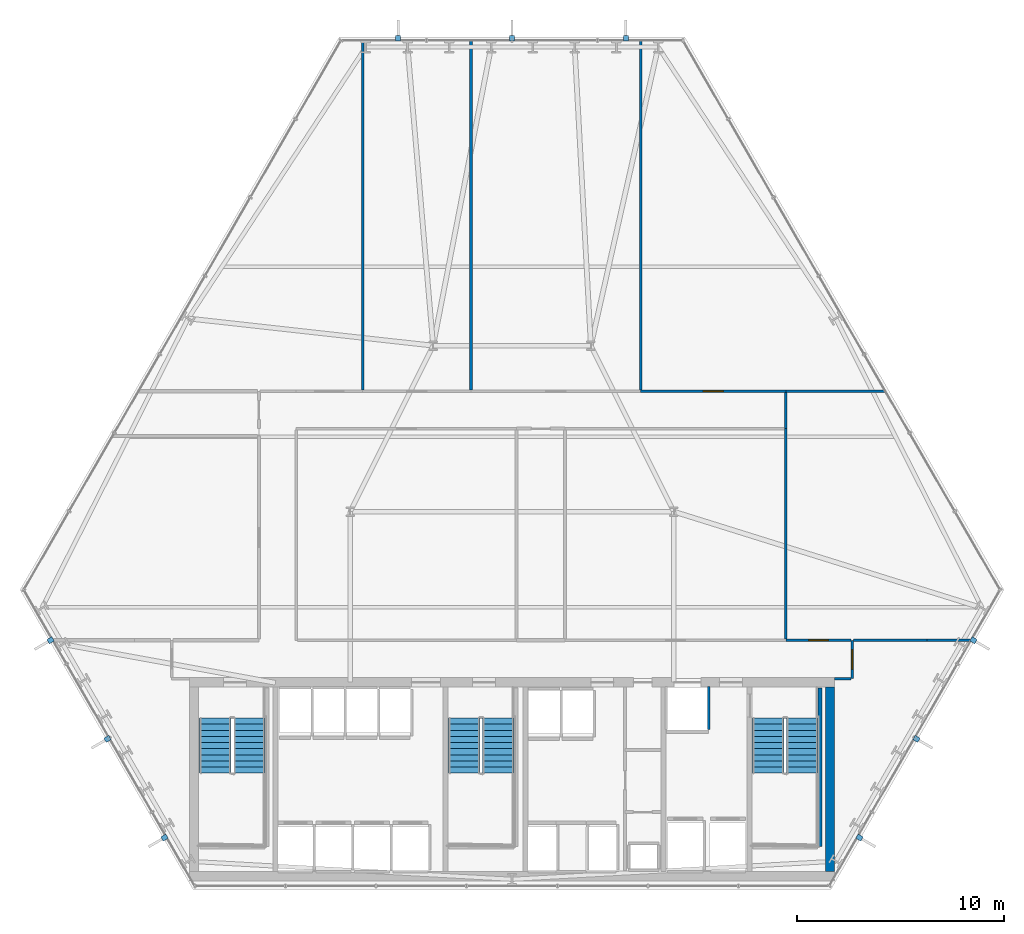
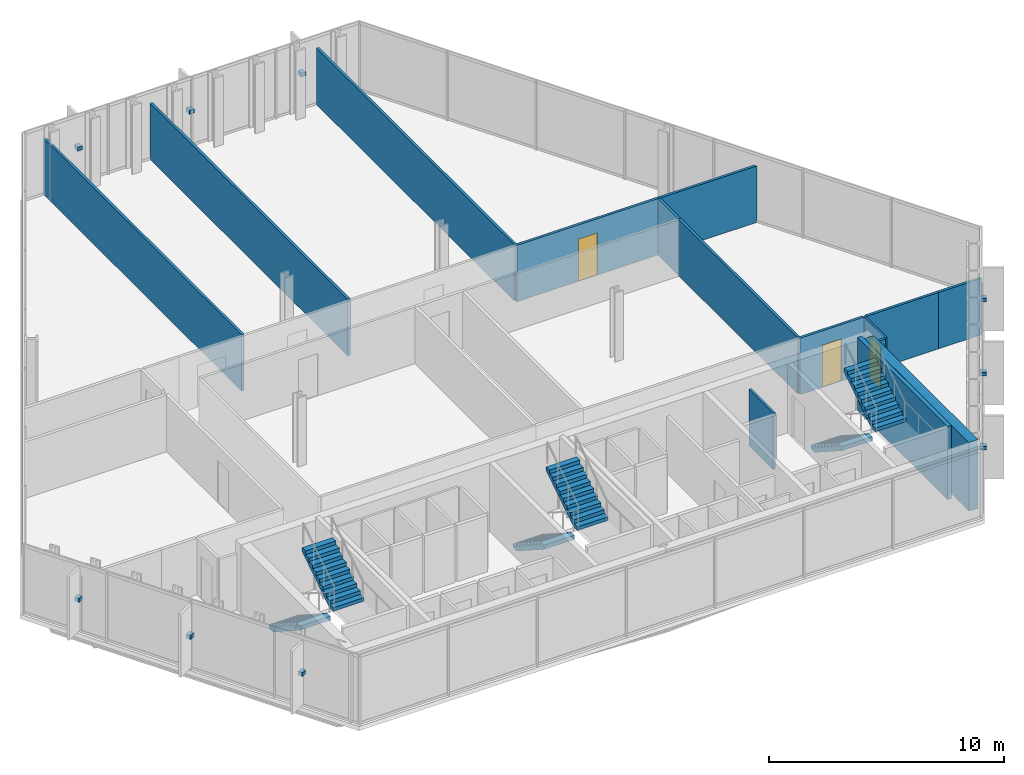
# One storey, part 29 of 33: 15 walls, 9 discrete accessories, 6 stair flights, 3 doors, 3 openings, 3 elements without a shape of their own.
"""IFC4 building model written with IfcOpenShell, lengths in metres."""

from ifc_helpers import new_model, si_unit, direction, frame, frame_2d, origin, origin_2d, place, context, subcontext, project, spatial, polyline, rectangle, outline, extrude, material, layer, layer_set, type_object, element, fill, aggregate, save


model = new_model("IFC4")

# Units and contexts
model_context = context("Model", 3, precision=1e-05, world=origin(), true_north=direction((0.0, 1.0)))
body_context = subcontext(model_context, "Body", "Model", "MODEL_VIEW")
ifc_project = project(units=[si_unit("LENGTHUNIT", "METRE"), si_unit("AREAUNIT", "SQUARE_METRE"), si_unit("VOLUMEUNIT", "CUBIC_METRE"), si_unit("PLANEANGLEUNIT", "RADIAN"), si_unit("MASSUNIT", "GRAM", prefix="KILO")], contexts=[model_context])

# Site, building, storey
site_placement = place(None, origin())
site = spatial("IfcSite", under=ifc_project, at=site_placement, CompositionType="ELEMENT")
building_placement = place(site_placement, origin())
building = spatial("IfcBuilding", under=site, at=building_placement, Name="Ndaravel Arena Tower", CompositionType="ELEMENT")
storey_placement = place(building_placement, frame((0.0, 0.0, 39.800048828125)))
storey = spatial("IfcBuildingStorey", under=building, at=storey_placement, Name="L07", CompositionType="ELEMENT", Elevation=39.800048828125)

# Wall
ifc_material_1 = material(Name="Concrete C60/75", Category="concrete")
ifc_layer_1 = layer(ifc_material_1, 0.449951171875)
ifc_layer_set_1 = layer_set([ifc_layer_1], Name="Concrete C60/75")
wall_type_1 = type_object("IfcWallType", Name="WALL-CORE-450", PredefinedType="SOLIDWALL", material=ifc_layer_set_1)
wall_1_placement = place(storey_placement, frame((57.324951171875, 5.85009765625, 0.0), z_axis=(0.0, 0.0, 1.0), x_axis=(0.0, 1.0, 0.0)))
element("IfcWall", 1, at=wall_1_placement, inside=storey, type_object=wall_type_1, Name="L07 Core East Shear Wall", PredefinedType="SOLIDWALL", context=body_context, shape_type="SweptSolid", body=[
    extrude(rectangle(XDim=8.89990234375, YDim=0.449951171875, at=frame_2d((4.449951171875, 0.0))), origin(), (0.0, 0.0, 1.0), 3.579833984375),
])

# Wall, opening, door
ifc_material_2 = material(Name="Timber", Category="wood")
ifc_layer_2 = layer(ifc_material_2, 0.10009765625)
ifc_layer_set_2 = layer_set([ifc_layer_2], Name="Timber")
wall_type_2 = type_object("IfcWallType", Name="WALL-MOVABLE-100", PredefinedType="MOVABLE", material=ifc_layer_set_2)
wall_2_placement = place(storey_placement, frame((58.39990234375, 17.0, 0.0), z_axis=(0.0, 0.0, 1.0), x_axis=(0.0, -1.0, 0.0)))
wall_2 = element("IfcWall", 2, at=wall_2_placement, inside=storey, type_object=wall_type_2, Name="L07 Interior Partition 001", PredefinedType="MOVABLE", context=body_context, shape_type="SweptSolid", body=[
    extrude(rectangle(XDim=1.85009765625, YDim=0.10009765625, at=frame_2d((0.925048828125, 0.0))), origin(), (0.0, 0.0, 1.0), 2.932861328125),
])
opening_1_placement = place(wall_2_placement, frame((0.449951171875, 0.0, 0.0)))
opening_1 = element("IfcOpeningElement", 3, at=opening_1_placement, cuts=wall_2, Name="Opening ID-01", PredefinedType="OPENING", context=body_context, shape_type="SweptSolid", body=[
    extrude(rectangle(XDim=0.949951171875, YDim=2.199951171875, at=frame_2d((0.47509765625, 1.10009765625))), frame((0.0, 0.050048828125, 0.0), z_axis=(0.0, -1.0, 0.0), x_axis=(1.0, 0.0, 0.0)), (0.0, 0.0, 1.0), 0.10009765625),
])
ifc_material_3 = material(Name="Timber", Category="wood")
door_type = type_object("IfcDoorType", Name="DT-03-OFFICE-950", OperationType="SINGLE_SWING_LEFT", PredefinedType="DOOR", material=ifc_material_3)
door_1_placement = place(opening_1_placement, origin())
door_1 = element("IfcDoor", 4, at=door_1_placement, inside=storey, type_object=door_type, Name="L07 Executive Boardroom Door", OperationType="SINGLE_SWING_LEFT", OverallHeight=2.199951171875, OverallWidth=0.949951171875, PredefinedType="DOOR", context=body_context, shape_type="SweptSolid", body=[
    extrude(rectangle(XDim=0.949951171875, YDim=2.199951171875, at=frame_2d((0.47509765625, 1.10009765625))), frame((0.0, 0.02490234375, 0.0), z_axis=(0.0, -1.0, 0.0), x_axis=(1.0, 0.0, 0.0)), (0.0, 0.0, 1.0), 0.050048828125),
])
fill(opening_1, door_1)

# Wall
ifc_material_4 = material(Name="Gypsum", Category="gypsum")
ifc_layer_3 = layer(ifc_material_4, 0.125)
ifc_layer_set_3 = layer_set([ifc_layer_3], Name="Gypsum")
wall_type_3 = type_object("IfcWallType", Name="WALL-PART-125", PredefinedType="PARTITIONING", material=ifc_layer_set_3)
wall_3_placement = place(storey_placement, frame((58.3349609375, 15.14990234375, 0.0), z_axis=(0.0, 0.0, 1.0), x_axis=(-1.0, 0.0, 0.0)))
element("IfcWall", 5, at=wall_3_placement, inside=storey, type_object=wall_type_3, Name="L07 Interior Partition 002", PredefinedType="PARTITIONING", context=body_context, shape_type="SweptSolid", body=[
    extrude(rectangle(XDim=0.784912109375, YDim=0.125, at=frame_2d((0.392578125, 0.0))), origin(), (0.0, 0.0, 1.0), 2.932861328125),
])

# Wall, opening, door
wall_4_placement = place(storey_placement, frame((48.199951171875, 29.0, 0.0), z_axis=(0.0, 0.0, 1.0), x_axis=(1.0, 0.0, 0.0)))
wall_4 = element("IfcWall", 6, at=wall_4_placement, inside=storey, type_object=wall_type_3, Name="L07 Interior Partition 012", PredefinedType="PARTITIONING", context=body_context, shape_type="SweptSolid", body=[
    extrude(rectangle(XDim=7.0, YDim=0.125, at=frame_2d((3.5, 0.0))), origin(), (0.0, 0.0, 1.0), 2.932861328125),
])
opening_2_placement = place(wall_4_placement, frame((3.02490234375, 0.0, 0.0)))
opening_2 = element("IfcOpeningElement", 7, at=opening_2_placement, cuts=wall_4, Name="Opening ID-01", PredefinedType="OPENING", context=body_context, shape_type="SweptSolid", body=[
    extrude(rectangle(XDim=0.949951171875, YDim=2.199951171875, at=frame_2d((0.47509765625, 1.10009765625))), frame((0.0, 0.0625, 0.0), z_axis=(0.0, -1.0, 0.0), x_axis=(1.0, 0.0, 0.0)), (0.0, 0.0, 1.0), 0.125),
])
door_2_placement = place(opening_2_placement, origin())
door_2 = element("IfcDoor", 8, at=door_2_placement, inside=storey, type_object=door_type, Name="L07 Project Seminar Room 3 Door", OperationType="SINGLE_SWING_LEFT", OverallHeight=2.199951171875, OverallWidth=0.949951171875, PredefinedType="DOOR", context=body_context, shape_type="SweptSolid", body=[
    extrude(rectangle(XDim=0.949951171875, YDim=2.199951171875, at=frame_2d((0.47509765625, 1.10009765625))), frame((0.0, 0.02490234375, 0.0), z_axis=(0.0, -1.0, 0.0), x_axis=(1.0, 0.0, 0.0)), (0.0, 0.0, 1.0), 0.050048828125),
])
fill(opening_2, door_2)

# Wall
wall_5_placement = place(storey_placement, frame((55.199951171875, 28.93505859375, 0.0), z_axis=(0.0, 0.0, 1.0), x_axis=(0.0, -1.0, 0.0)))
element("IfcWall", 9, at=wall_5_placement, inside=storey, type_object=wall_type_3, Name="L07 Interior Partition 013", PredefinedType="PARTITIONING", context=body_context, shape_type="SweptSolid", body=[
    extrude(rectangle(XDim=1.735107421875, YDim=0.125, at=frame_2d((0.86767578125, 0.0))), origin(), (0.0, 0.0, 1.0), 2.932861328125),
])

# Wall, opening, door
wall_6_placement = place(storey_placement, frame((55.199951171875, 17.0, 0.0), z_axis=(0.0, 0.0, 1.0), x_axis=(1.0, 0.0, 0.0)))
wall_6 = element("IfcWall", 10, at=wall_6_placement, inside=storey, type_object=wall_type_3, Name="L07 Interior Partition 021", PredefinedType="PARTITIONING", context=body_context, shape_type="SweptSolid", body=[
    extrude(rectangle(XDim=3.135009765625, YDim=0.125, at=frame_2d((1.5673828125, 0.0))), origin(), (0.0, 0.0, 1.0), 2.932861328125),
])
opening_3_placement = place(wall_6_placement, frame((1.092529296875, 0.0, 0.0)))
opening_3 = element("IfcOpeningElement", 11, at=opening_3_placement, cuts=wall_6, Name="Opening ID-01", PredefinedType="OPENING", context=body_context, shape_type="SweptSolid", body=[
    extrude(rectangle(XDim=0.949951171875, YDim=2.199951171875, at=frame_2d((0.47509765625, 1.10009765625))), frame((0.0, 0.0625, 0.0), z_axis=(0.0, -1.0, 0.0), x_axis=(1.0, 0.0, 0.0)), (0.0, 0.0, 1.0), 0.125),
])
door_3_placement = place(opening_3_placement, origin())
door_3 = element("IfcDoor", 12, at=door_3_placement, inside=storey, type_object=door_type, Name="L07 Advisory Desk Office 3 Door", OperationType="SINGLE_SWING_RIGHT", OverallHeight=2.199951171875, OverallWidth=0.949951171875, PredefinedType="DOOR", context=body_context, shape_type="SweptSolid", body=[
    extrude(rectangle(XDim=0.949951171875, YDim=2.199951171875, at=frame_2d((0.47509765625, 1.10009765625))), frame((0.0, 0.02490234375, 0.0), z_axis=(0.0, -1.0, 0.0), x_axis=(1.0, 0.0, 0.0)), (0.0, 0.0, 1.0), 0.050048828125),
])
fill(opening_3, door_3)

# Walls
wall_7_placement = place(storey_placement, frame((58.465087890625, 17.0, 0.0), z_axis=(0.0, 0.0, 1.0), x_axis=(1.0, 0.0, 0.0)))
element("IfcWall", 13, at=wall_7_placement, inside=storey, type_object=wall_type_3, Name="L07 Interior Partition 024", PredefinedType="PARTITIONING", context=body_context, shape_type="SweptSolid", body=[
    extrude(rectangle(XDim=3.534912109375, YDim=0.125, at=frame_2d((1.767578125, 0.0))), origin(), (0.0, 0.0, 1.0), 2.932861328125),
])
wall_8_placement = place(storey_placement, frame((62.0, 17.0, 0.0), z_axis=(0.0, 0.0, 1.0), x_axis=(1.0, 0.0, 0.0)))
element("IfcWall", 14, at=wall_8_placement, inside=storey, type_object=wall_type_3, Name="L07 Interior Partition 025", PredefinedType="PARTITIONING", context=body_context, shape_type="SweptSolid", body=[
    extrude(rectangle(XDim=2.1240234375, YDim=0.125, at=frame_2d((1.06201171875, 0.0))), origin(), (0.0, 0.0, 1.0), 2.932861328125),
])
wall_9_placement = place(storey_placement, frame((55.199951171875, 27.199951171875, 0.0), z_axis=(0.0, 0.0, 1.0), x_axis=(0.0, -1.0, 0.0)))
element("IfcWall", 15, at=wall_9_placement, inside=storey, type_object=wall_type_3, Name="L07 Interior Partition 029", PredefinedType="PARTITIONING", context=body_context, shape_type="SweptSolid", body=[
    extrude(rectangle(XDim=10.135009765625, YDim=0.125, at=frame_2d((5.0673828125, 0.0))), origin(), (0.0, 0.0, 1.0), 2.932861328125),
])
wall_10_placement = place(storey_placement, frame((55.199951171875, 29.0, 0.0), z_axis=(0.0, 0.0, 1.0), x_axis=(1.0, 0.0, 0.0)))
element("IfcWall", 16, at=wall_10_placement, inside=storey, type_object=wall_type_3, Name="L07 Interior Partition 030", PredefinedType="PARTITIONING", context=body_context, shape_type="SweptSolid", body=[
    extrude(rectangle(XDim=4.8017578125, YDim=0.125, at=frame_2d((2.40087890625, 0.0))), origin(), (0.0, 0.0, 1.0), 2.932861328125),
])
for number, where, z_axis, x_axis, name in (
    (17, (34.800048828125, 45.909912109375, 0.0), (0.0, 0.0, 1.0), (0.0, -1.0, 0.0), "L07 Interior Partition 032"),
    (18, (48.199951171875, 29.06494140625, 0.0), (0.0, 0.0, 1.0), (0.0, 1.0, 0.0), "L07 Interior Partition 033"),
    (19, (40.02587890625, 29.06494140625, 0.0), (0.0, 0.0, 1.0), (0.0, 1.0, 0.0), "L07 Interior Partition 034"),
):
    element("IfcWall", number, at=place(storey_placement, frame(where, z_axis=z_axis, x_axis=x_axis)), inside=storey, type_object=wall_type_3, Name=name, PredefinedType="PARTITIONING", context=body_context, shape_type="SweptSolid", body=[
        extrude(rectangle(XDim=16.844970703125, YDim=0.125, at=frame_2d((8.42236328125, 0.0))), origin(), (0.0, 0.0, 1.0), 2.932861328125),
    ])
ifc_material_5 = material(Name="Concrete C40/50", Category="concrete")
ifc_layer_4 = layer(ifc_material_5, 0.1201171875)
ifc_layer_set_4 = layer_set([ifc_layer_4], Name="Concrete C40/50")
wall_type_4 = type_object("IfcWallType", Name="WALL-SHAFT-120", PredefinedType="SOLIDWALL", material=ifc_layer_set_4)
wall_11_placement = place(storey_placement, frame((51.47998046875, 12.68994140625, 0.0), z_axis=(0.0, 0.0, 1.0), x_axis=(0.0, 1.0, 0.0)))
element("IfcWall", 20, at=wall_11_placement, inside=storey, type_object=wall_type_4, Name="L07 SVL-1 Shaft E Wall", PredefinedType="SOLIDWALL", context=body_context, shape_type="SweptSolid", body=[
    extrude(rectangle(XDim=2.070068359375, YDim=0.1201171875, at=frame_2d((1.03515625, 0.0))), origin(), (0.0, 0.0, 1.0), 2.932861328125),
])
ifc_material_6 = material(Name="Concrete C40/50", Category="concrete")
ifc_layer_5 = layer(ifc_material_6, 0.199951171875)
ifc_layer_set_5 = layer_set([ifc_layer_5], Name="Concrete C40/50")
wall_type_5 = type_object("IfcWallType", Name="WALL-SHAFT-200", PredefinedType="SOLIDWALL", material=ifc_layer_set_5)
wall_12_placement = place(storey_placement, frame((56.840087890625, 14.699951171875, 0.0), z_axis=(0.0, 0.0, 1.0), x_axis=(0.0, -1.0, 0.0)))
element("IfcWall", 21, at=wall_12_placement, inside=storey, type_object=wall_type_5, Name="L07 ST-3 Structural Shaft Wall Right", PredefinedType="SOLIDWALL", context=body_context, shape_type="SweptSolid", body=[
    extrude(rectangle(XDim=7.64990234375, YDim=0.199951171875, at=frame_2d((3.824951171875, 0.0))), origin(), (0.0, 0.0, 1.0), 3.800048828125),
])

# Stair, stair flights
ifc_material_7 = material(Name="Concrete C40/50", Category="concrete")
stair_type = type_object("IfcStairType", Name="STAIR-CORE-HT", PredefinedType="HALF_TURN_STAIR", material=ifc_material_7)
stair_1_placement = place(storey_placement, origin())
stair_1 = element("IfcStair", 22, at=stair_1_placement, inside=storey, type_object=stair_type, Name="L07 ST-1", PredefinedType="HALF_TURN_STAIR")
ifc_material_8 = material(Name="Concrete C40/50", Category="concrete")
stair_flight_type = type_object("IfcStairFlightType", Name="SFLIGHT-CORE-1680", PredefinedType="STRAIGHT", material=ifc_material_8)
stair_flight_1_placement = place(storey_placement, frame((27.699951171875, 13.25, 0.0), z_axis=(0.0, 0.0, 1.0), x_axis=(0.0, -1.0, 0.0)))
stair_flight_1 = element("IfcStairFlight", 23, at=stair_flight_1_placement, type_object=stair_flight_type, Name="ST-1 flight 1", NumberOfRisers=10, NumberOfTreads=9, PredefinedType="STRAIGHT", RiserHeight=0.19, TreadLength=0.295, context=body_context, shape_type="SweptSolid", body=[
    extrude(outline(polyline([(0.0, 0.0), (0.0, 0.18994140625), (0.294921875, 0.18994140625), (0.294921875, 0.3798828125), (0.590087890625, 0.3798828125), (0.590087890625, 0.570068359375), (0.885009765625, 0.570068359375), (0.885009765625, 0.760009765625), (1.179931640625, 0.760009765625), (1.179931640625, 0.949951171875), (1.47509765625, 0.949951171875), (1.47509765625, 1.139892578125), (1.77001953125, 1.139892578125), (1.77001953125, 1.330078125), (2.06494140625, 1.330078125), (2.06494140625, 1.52001953125), (2.360107421875, 1.52001953125), (2.360107421875, 1.7099609375), (2.655029296875, 1.7099609375), (2.655029296875, 1.89990234375), (2.655029296875, 1.49609375), (0.332275390625, 0.0), (0.0, 0.0)])), frame((0.0, 0.75, 0.0), z_axis=(0.0, -1.0, 0.0), x_axis=(1.0, 0.0, 0.0)), (0.0, 0.0, 1.0), 1.5),
])
stair_flight_2_placement = place(storey_placement, frame((29.340087890625, 10.594970703125, 1.89990234375), z_axis=(0.0, 0.0, 1.0), x_axis=(0.0, 1.0, 0.0)))
stair_flight_2 = element("IfcStairFlight", 24, at=stair_flight_2_placement, type_object=stair_flight_type, Name="ST-1 flight 2", NumberOfRisers=10, NumberOfTreads=9, PredefinedType="STRAIGHT", RiserHeight=0.19, TreadLength=0.295, context=body_context, shape_type="SweptSolid", body=[
    extrude(outline(polyline([(0.0, 0.0), (0.0, 0.18994140625), (0.294921875, 0.18994140625), (0.294921875, 0.3798828125), (0.590087890625, 0.3798828125), (0.590087890625, 0.570068359375), (0.885009765625, 0.570068359375), (0.885009765625, 0.760009765625), (1.179931640625, 0.760009765625), (1.179931640625, 0.949951171875), (1.47509765625, 0.949951171875), (1.47509765625, 1.139892578125), (1.77001953125, 1.139892578125), (1.77001953125, 1.330078125), (2.06494140625, 1.330078125), (2.06494140625, 1.52001953125), (2.360107421875, 1.52001953125), (2.360107421875, 1.7099609375), (2.655029296875, 1.7099609375), (2.655029296875, 1.89990234375), (2.655029296875, 1.49609375), (0.332275390625, 0.0), (0.0, 0.0)])), frame((0.0, 0.75, 0.0), z_axis=(0.0, -1.0, 0.0), x_axis=(1.0, 0.0, 0.0)), (0.0, 0.0, 1.0), 1.5),
])
aggregate(stair_1, [stair_flight_1, stair_flight_2])

stair_2_placement = place(storey_placement, origin())
stair_2 = element("IfcStair", 25, at=stair_2_placement, inside=storey, type_object=stair_type, Name="L07 ST-2", PredefinedType="HALF_TURN_STAIR")
stair_flight_3_placement = place(storey_placement, frame((39.699951171875, 13.25, 0.0), z_axis=(0.0, 0.0, 1.0), x_axis=(0.0, -1.0, 0.0)))
stair_flight_3 = element("IfcStairFlight", 26, at=stair_flight_3_placement, type_object=stair_flight_type, Name="ST-2 flight 1", NumberOfRisers=10, NumberOfTreads=9, PredefinedType="STRAIGHT", RiserHeight=0.19, TreadLength=0.295, context=body_context, shape_type="SweptSolid", body=[
    extrude(outline(polyline([(0.0, 0.0), (0.0, 0.18994140625), (0.294921875, 0.18994140625), (0.294921875, 0.3798828125), (0.590087890625, 0.3798828125), (0.590087890625, 0.570068359375), (0.885009765625, 0.570068359375), (0.885009765625, 0.760009765625), (1.179931640625, 0.760009765625), (1.179931640625, 0.949951171875), (1.47509765625, 0.949951171875), (1.47509765625, 1.139892578125), (1.77001953125, 1.139892578125), (1.77001953125, 1.330078125), (2.06494140625, 1.330078125), (2.06494140625, 1.52001953125), (2.360107421875, 1.52001953125), (2.360107421875, 1.7099609375), (2.655029296875, 1.7099609375), (2.655029296875, 1.89990234375), (2.655029296875, 1.49609375), (0.332275390625, 0.0), (0.0, 0.0)])), frame((0.0, 0.75, 0.0), z_axis=(0.0, -1.0, 0.0), x_axis=(1.0, 0.0, 0.0)), (0.0, 0.0, 1.0), 1.5),
])
stair_flight_4_placement = place(storey_placement, frame((41.340087890625, 10.594970703125, 1.89990234375), z_axis=(0.0, 0.0, 1.0), x_axis=(0.0, 1.0, 0.0)))
stair_flight_4 = element("IfcStairFlight", 27, at=stair_flight_4_placement, type_object=stair_flight_type, Name="ST-2 flight 2", NumberOfRisers=10, NumberOfTreads=9, PredefinedType="STRAIGHT", RiserHeight=0.19, TreadLength=0.295, context=body_context, shape_type="SweptSolid", body=[
    extrude(outline(polyline([(0.0, 0.0), (0.0, 0.18994140625), (0.294921875, 0.18994140625), (0.294921875, 0.3798828125), (0.590087890625, 0.3798828125), (0.590087890625, 0.570068359375), (0.885009765625, 0.570068359375), (0.885009765625, 0.760009765625), (1.179931640625, 0.760009765625), (1.179931640625, 0.949951171875), (1.47509765625, 0.949951171875), (1.47509765625, 1.139892578125), (1.77001953125, 1.139892578125), (1.77001953125, 1.330078125), (2.06494140625, 1.330078125), (2.06494140625, 1.52001953125), (2.360107421875, 1.52001953125), (2.360107421875, 1.7099609375), (2.655029296875, 1.7099609375), (2.655029296875, 1.89990234375), (2.655029296875, 1.49609375), (0.332275390625, 0.0), (0.0, 0.0)])), frame((0.0, 0.75, 0.0), z_axis=(0.0, -1.0, 0.0), x_axis=(1.0, 0.0, 0.0)), (0.0, 0.0, 1.0), 1.5),
])
aggregate(stair_2, [stair_flight_3, stair_flight_4])

stair_3_placement = place(storey_placement, origin())
stair_3 = element("IfcStair", 28, at=stair_3_placement, inside=storey, type_object=stair_type, Name="L07 ST-3", PredefinedType="HALF_TURN_STAIR")
stair_flight_5_placement = place(storey_placement, frame((54.35009765625, 13.25, 0.0), z_axis=(0.0, 0.0, 1.0), x_axis=(0.0, -1.0, 0.0)))
stair_flight_5 = element("IfcStairFlight", 29, at=stair_flight_5_placement, type_object=stair_flight_type, Name="ST-3 flight 1", NumberOfRisers=10, NumberOfTreads=9, PredefinedType="STRAIGHT", RiserHeight=0.19, TreadLength=0.295, context=body_context, shape_type="SweptSolid", body=[
    extrude(outline(polyline([(0.0, 0.0), (0.0, 0.18994140625), (0.294921875, 0.18994140625), (0.294921875, 0.3798828125), (0.590087890625, 0.3798828125), (0.590087890625, 0.570068359375), (0.885009765625, 0.570068359375), (0.885009765625, 0.760009765625), (1.179931640625, 0.760009765625), (1.179931640625, 0.949951171875), (1.47509765625, 0.949951171875), (1.47509765625, 1.139892578125), (1.77001953125, 1.139892578125), (1.77001953125, 1.330078125), (2.06494140625, 1.330078125), (2.06494140625, 1.52001953125), (2.360107421875, 1.52001953125), (2.360107421875, 1.7099609375), (2.655029296875, 1.7099609375), (2.655029296875, 1.89990234375), (2.655029296875, 1.49609375), (0.332275390625, 0.0), (0.0, 0.0)])), frame((0.0, 0.75, 0.0), z_axis=(0.0, -1.0, 0.0), x_axis=(1.0, 0.0, 0.0)), (0.0, 0.0, 1.0), 1.5),
])
stair_flight_6_placement = place(storey_placement, frame((55.989990234375, 10.594970703125, 1.89990234375), z_axis=(0.0, 0.0, 1.0), x_axis=(0.0, 1.0, 0.0)))
stair_flight_6 = element("IfcStairFlight", 30, at=stair_flight_6_placement, type_object=stair_flight_type, Name="ST-3 flight 2", NumberOfRisers=10, NumberOfTreads=9, PredefinedType="STRAIGHT", RiserHeight=0.19, TreadLength=0.295, context=body_context, shape_type="SweptSolid", body=[
    extrude(outline(polyline([(0.0, 0.0), (0.0, 0.18994140625), (0.294921875, 0.18994140625), (0.294921875, 0.3798828125), (0.590087890625, 0.3798828125), (0.590087890625, 0.570068359375), (0.885009765625, 0.570068359375), (0.885009765625, 0.760009765625), (1.179931640625, 0.760009765625), (1.179931640625, 0.949951171875), (1.47509765625, 0.949951171875), (1.47509765625, 1.139892578125), (1.77001953125, 1.139892578125), (1.77001953125, 1.330078125), (2.06494140625, 1.330078125), (2.06494140625, 1.52001953125), (2.360107421875, 1.52001953125), (2.360107421875, 1.7099609375), (2.655029296875, 1.7099609375), (2.655029296875, 1.89990234375), (2.655029296875, 1.49609375), (0.332275390625, 0.0), (0.0, 0.0)])), frame((0.0, 0.75, 0.0), z_axis=(0.0, -1.0, 0.0), x_axis=(1.0, 0.0, 0.0)), (0.0, 0.0, 1.0), 1.5),
])
aggregate(stair_3, [stair_flight_5, stair_flight_6])

# Discrete accessories
ifc_material_9 = material(Name="Steel S355", Category="steel")
discrete_accessory_type = type_object("IfcDiscreteAccessoryType", Name="ACC-BRACKET-FIN", PredefinedType="BRACKET", material=ifc_material_9)
for number, where, z_axis, x_axis, name in (
    (31, (58.747802734375, 7.48828125, 1.68994140625), (0.0, 0.0, 1.0), (0.866025403784, -0.5, 0.0), "L07 Mazeras Stone Solar Fin E2.1 Bracket"),
    (32, (61.494140625, 12.2451171875, 1.68994140625), (0.0, 0.0, 1.0), (0.866025403784, -0.5, 0.0), "L07 Mazeras Stone Solar Fin E2.2 Bracket"),
    (33, (64.240478515625, 17.001708984375, 1.68994140625), (0.0, 0.0, 1.0), (0.866025403784, -0.5, 0.0), "L07 Mazeras Stone Solar Fin E2.3 Bracket"),
    (34, (47.492431640625, 46.010009765625, 1.68994140625), (0.0, 0.0, 1.0), (0.0, 1.0, 0.0), "L07 Mazeras Stone Solar Fin E4.1 Bracket"),
    (35, (42.0, 46.010009765625, 1.68994140625), (0.0, 0.0, 1.0), (0.0, 1.0, 0.0), "L07 Mazeras Stone Solar Fin E4.2 Bracket"),
    (36, (36.507568359375, 46.010009765625, 1.68994140625), (0.0, 0.0, 1.0), (0.0, 1.0, 0.0), "L07 Mazeras Stone Solar Fin E4.3 Bracket"),
    (37, (19.759521484375, 17.001708984375, 1.68994140625), (0.0, 0.0, 1.0), (-0.866025403784, -0.5, 0.0), "L07 Mazeras Stone Solar Fin E6.1 Bracket"),
    (38, (22.505859375, 12.2451171875, 1.68994140625), (0.0, 0.0, 1.0), (-0.866025403784, -0.5, 0.0), "L07 Mazeras Stone Solar Fin E6.2 Bracket"),
    (39, (25.252197265625, 7.48828125, 1.68994140625), (0.0, 0.0, 1.0), (-0.866025403784, -0.5, 0.0), "L07 Mazeras Stone Solar Fin E6.3 Bracket"),
):
    element("IfcDiscreteAccessory", number, at=place(storey_placement, frame(where, z_axis=z_axis, x_axis=x_axis)), inside=storey, type_object=discrete_accessory_type, Name=name, PredefinedType="BRACKET", context=body_context, shape_type="SweptSolid", body=[
        extrude(rectangle(XDim=0.280029296875, YDim=0.239990234375, at=origin_2d()), origin(), (0.0, 0.0, 1.0), 0.199951171875),
    ])

save(model, "model.ifc")
